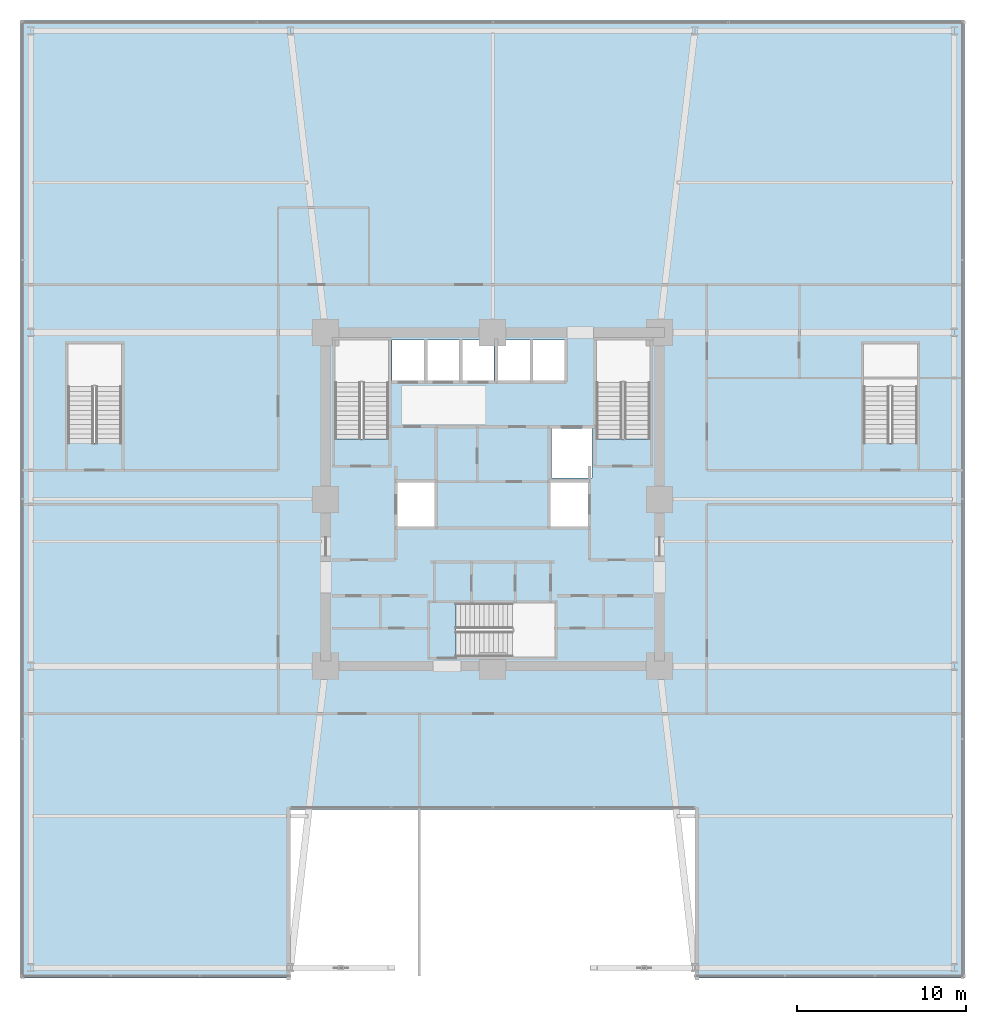
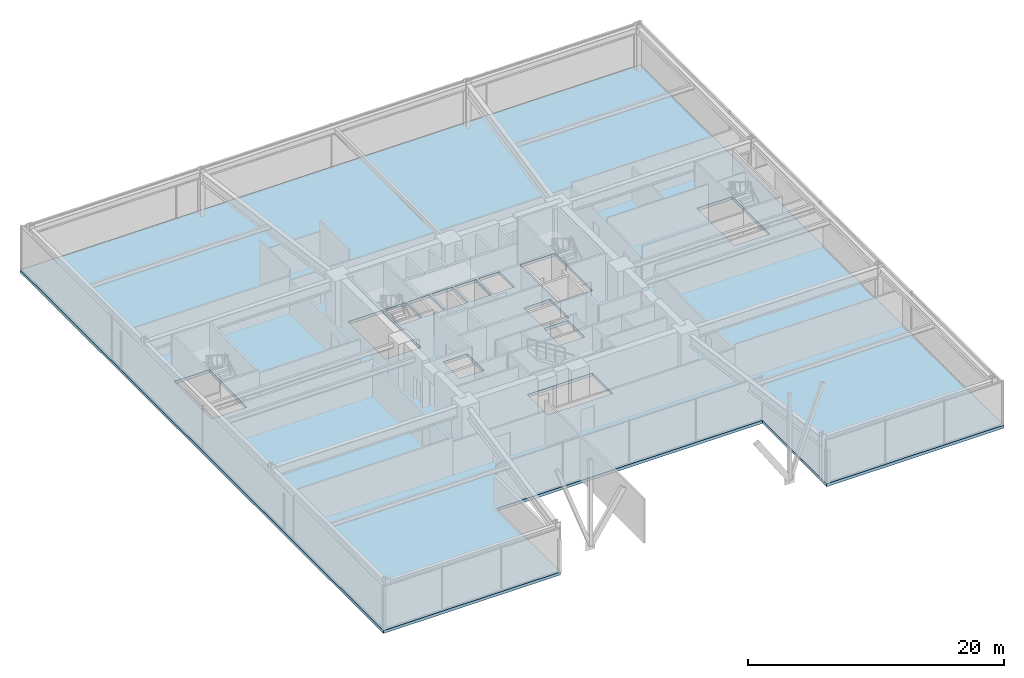
# One storey, part 38 of 47: 1 slab.
"""IFC4 building model written with IfcOpenShell, lengths in metres."""

from ifc_helpers import new_model, si_unit, direction, frame, origin, place, context, subcontext, project, spatial, polyline, outline, extrude, material, layer, layer_set, type_object, element, save


model = new_model("IFC4")

# Units and contexts
model_context = context("Model", 3, precision=1e-05, world=origin(), true_north=direction((0.0, 1.0)))
body_context = subcontext(model_context, "Body", "Model", "MODEL_VIEW")
ifc_project = project(units=[si_unit("LENGTHUNIT", "METRE"), si_unit("AREAUNIT", "SQUARE_METRE"), si_unit("VOLUMEUNIT", "CUBIC_METRE"), si_unit("PLANEANGLEUNIT", "RADIAN"), si_unit("MASSUNIT", "GRAM", prefix="KILO")], contexts=[model_context])

# Site, building, storey
site_placement = place(None, origin())
site = spatial("IfcSite", under=ifc_project, at=site_placement, CompositionType="ELEMENT")
building_placement = place(site_placement, origin())
building = spatial("IfcBuilding", under=site, at=building_placement, Name="Kolvaren Belvedere", CompositionType="ELEMENT")
storey_placement = place(building_placement, frame((0.0, 0.0, 5.5)))
storey = spatial("IfcBuildingStorey", under=building, at=storey_placement, Name="L02", CompositionType="ELEMENT", Elevation=5.5)

# Slab
ifc_material = material(Name="Concrete C50/60", Category="concrete")
ifc_layer = layer(ifc_material, 0.280029296875)
ifc_layer_set = layer_set([ifc_layer], Name="Concrete C50/60")
slab_type = type_object("IfcSlabType", Name="SL-FLR-280", PredefinedType="FLOOR", material=ifc_layer_set)
slab_placement = place(storey_placement, frame((0.0, 0.0, -0.280029296875)))
element("IfcSlab", 1, at=slab_placement, inside=storey, type_object=slab_type, Name="L02 Primary Structural Slab", PredefinedType="FLOOR", context=body_context, shape_type="SweptSolid", body=[
    extrude(outline(polyline([(-28.0, -28.39990234375), (-12.0, -28.39990234375), (-12.0, -18.39990234375), (12.0, -18.39990234375), (12.0, -28.39990234375), (28.0, -28.39990234375), (28.0, 28.39990234375), (-28.0, 28.39990234375), (-28.0, -28.39990234375)]), holes=[polyline([(-9.35009765625, 3.580078125), (-6.159912109375, 3.580078125), (-6.159912109375, 9.449951171875), (-9.35009765625, 9.449951171875), (-9.35009765625, 3.580078125)]), polyline([(6.159912109375, 3.580078125), (9.35009765625, 3.580078125), (9.35009765625, 9.449951171875), (6.159912109375, 9.449951171875), (6.159912109375, 3.580078125)]), polyline([(-2.169921875, -9.35009765625), (3.699951171875, -9.35009765625), (3.699951171875, -6.159912109375), (-2.169921875, -6.159912109375), (-2.169921875, -9.35009765625)]), polyline([(-25.199951171875, 3.330078125), (-22.010009765625, 3.330078125), (-22.010009765625, 9.199951171875), (-25.199951171875, 9.199951171875), (-25.199951171875, 3.330078125)]), polyline([(22.010009765625, 3.330078125), (25.199951171875, 3.330078125), (25.199951171875, 9.199951171875), (22.010009765625, 9.199951171875), (22.010009765625, 3.330078125)]), polyline([(-5.64990234375, -1.60009765625), (-3.449951171875, -1.60009765625), (-3.449951171875, 1.0), (-5.64990234375, 1.0), (-5.64990234375, -1.60009765625)]), polyline([(3.5, 1.25), (5.89990234375, 1.25), (5.89990234375, 4.199951171875), (3.5, 4.199951171875), (3.5, 1.25)]), polyline([(3.449951171875, -1.60009765625), (5.64990234375, -1.60009765625), (5.64990234375, 1.0), (3.449951171875, 1.0), (3.449951171875, -1.60009765625)]), polyline([(-5.9599609375, 7.050048828125), (-4.06005859375, 7.050048828125), (-4.06005859375, 9.449951171875), (-5.9599609375, 9.449951171875), (-5.9599609375, 7.050048828125)]), polyline([(-3.8798828125, 7.050048828125), (-1.97998046875, 7.050048828125), (-1.97998046875, 9.449951171875), (-3.8798828125, 9.449951171875), (-3.8798828125, 7.050048828125)]), polyline([(-1.800048828125, 7.050048828125), (0.10009765625, 7.050048828125), (0.10009765625, 9.449951171875), (-1.800048828125, 9.449951171875), (-1.800048828125, 7.050048828125)]), polyline([(0.320068359375, 7.050048828125), (2.219970703125, 7.050048828125), (2.219970703125, 9.449951171875), (0.320068359375, 9.449951171875), (0.320068359375, 7.050048828125)]), polyline([(2.39990234375, 7.050048828125), (4.300048828125, 7.050048828125), (4.300048828125, 9.449951171875), (2.39990234375, 9.449951171875), (2.39990234375, 7.050048828125)])]), origin(), (0.0, 0.0, 1.0), 0.280029296875),
])

save(model, "model.ifc")
